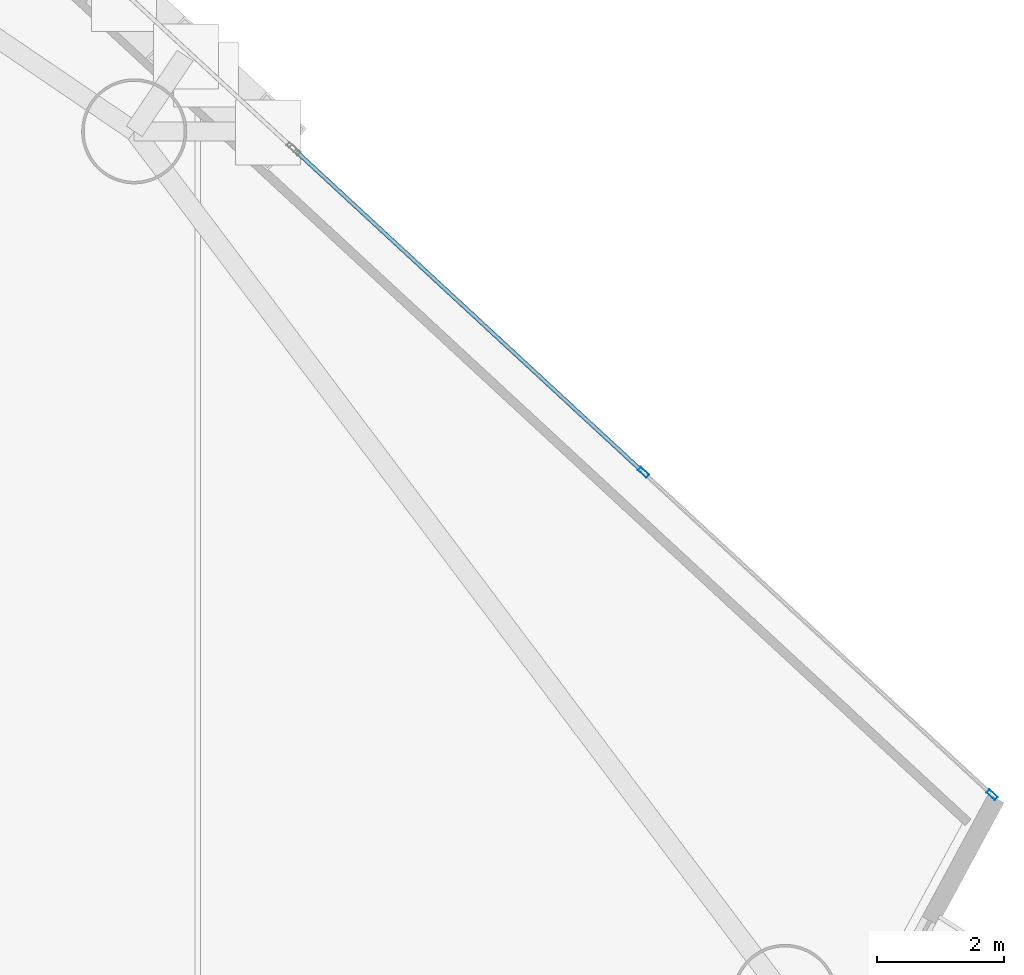
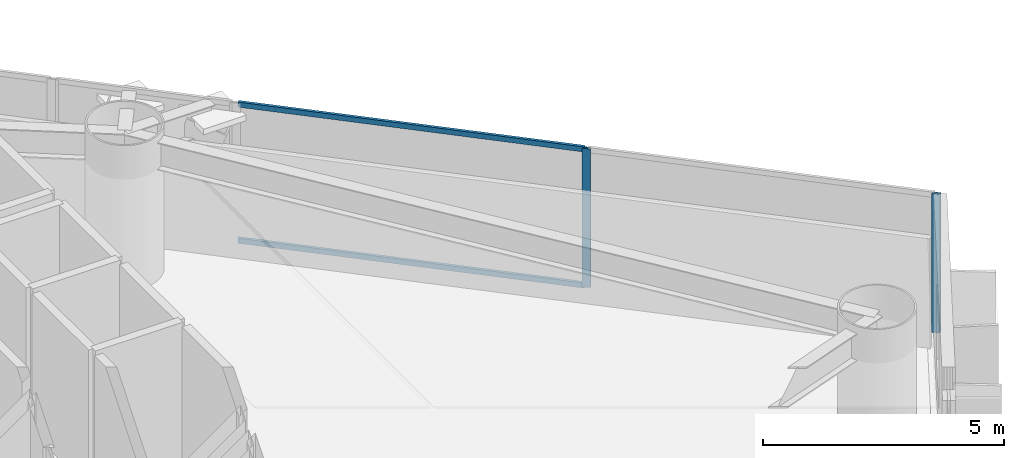
# One storey, part 15 of 23: 4 members, 1 element without a shape of its own.
"""IFC4 building model written with IfcOpenShell, lengths in metres."""

from ifc_helpers import new_model, si_unit, direction, frame, origin, origin_2d, place, context, subcontext, project, spatial, hollow_rectangle, extrude, material, layer, layer_set, material_profile, profile_set, type_object, element, aggregate, save


model = new_model("IFC4")

# Units and contexts
model_context = context("Model", 3, precision=1e-05, world=origin(), true_north=direction((0.0, 1.0)))
body_context = subcontext(model_context, "Body", "Model", "MODEL_VIEW")
ifc_project = project(units=[si_unit("LENGTHUNIT", "METRE"), si_unit("AREAUNIT", "SQUARE_METRE"), si_unit("VOLUMEUNIT", "CUBIC_METRE"), si_unit("PLANEANGLEUNIT", "RADIAN"), si_unit("MASSUNIT", "GRAM", prefix="KILO")], contexts=[model_context])

# Site, building, storey
site_placement = place(None, origin())
site = spatial("IfcSite", under=ifc_project, at=site_placement, CompositionType="ELEMENT")
building_placement = place(site_placement, origin())
building = spatial("IfcBuilding", under=site, at=building_placement, Name="Qianvela Tower", CompositionType="ELEMENT")
storey_placement = place(building_placement, frame((0.0, 0.0, 67.300048828125)))
storey = spatial("IfcBuildingStorey", under=building, at=storey_placement, Name="L16", CompositionType="ELEMENT", Elevation=67.300048828125)

# Curtain wall, members
ifc_material_1 = material(Name="Anodised Architectural Aluminium and Low-E Glass", Category="aluminium")
ifc_layer = layer(ifc_material_1, 0.179931640625)
ifc_layer_set = layer_set([ifc_layer], Name="Anodised Architectural Aluminium and Low-E Glass")
curtain_wall_type = type_object("IfcCurtainWallType", Name="CW-COLIV-Z12", PredefinedType="USERDEFINED", material=ifc_layer_set)
curtain_wall_placement = place(storey_placement, origin())
curtain_wall = element("IfcCurtainWall", 1, at=curtain_wall_placement, inside=storey, type_object=curtain_wall_type, Name="L16 CW-COLIV-Z12 Curtain Wall 02A", ObjectType="CURTAIN_WALL_SYSTEM", PredefinedType="USERDEFINED")
ifc_material_2 = material(Name="Anodised Architectural Aluminium 6063-T6", Category="aluminium")
ifc_material_profile_1 = material_profile(ifc_material_2, hollow_rectangle(XDim=0.070068359375, YDim=0.179931640625, WallThickness=0.0048828125, at=origin_2d()), Name="ALU-MULL-70x180")
ifc_profile_set_1 = profile_set([ifc_material_profile_1], Name="Anodised Architectural Aluminium 6063-T6")
member_type_1 = type_object("IfcMemberType", Name="CW-COLIV-Z12-MULL", PredefinedType="MULLION", material=ifc_profile_set_1)
member_1_placement = place(storey_placement, frame((59.453125, 23.641357421875, 0.0), z_axis=(0.0, 0.0, 1.0), x_axis=(-0.678843016843, -0.734283431982, 0.0)))
member_1 = element("IfcMember", 2, at=member_1_placement, type_object=member_type_1, Name="CW-3 mullion 1", PredefinedType="MULLION", context=body_context, shape_type="SweptSolid", body=[
    extrude(hollow_rectangle(XDim=0.070068359375, YDim=0.179931640625, WallThickness=0.0048828125, at=origin_2d()), origin(), (0.0, 0.0, 1.0), 3.52001953125),
])
member_2_placement = place(storey_placement, frame((53.97900390625, 28.7021484375, 0.0), z_axis=(0.0, 0.0, 1.0), x_axis=(-0.678843016843, -0.734283431982, 0.0)))
member_2 = element("IfcMember", 3, at=member_2_placement, type_object=member_type_1, Name="CW-3 mullion 2", PredefinedType="MULLION", context=body_context, shape_type="SweptSolid", body=[
    extrude(hollow_rectangle(XDim=0.070068359375, YDim=0.179931640625, WallThickness=0.0048828125, at=origin_2d()), origin(), (0.0, 0.0, 1.0), 3.52001953125),
])
ifc_material_3 = material(Name="Anodised Architectural Aluminium 6063-T6", Category="aluminium")
ifc_material_profile_2 = material_profile(ifc_material_3, hollow_rectangle(XDim=0.06494140625, YDim=0.1298828125, WallThickness=0.00439453125, at=origin_2d()), Name="ALU-TRAN-65x130")
ifc_profile_set_2 = profile_set([ifc_material_profile_2], Name="Anodised Architectural Aluminium 6063-T6")
member_type_2 = type_object("IfcMemberType", Name="CW-COLIV-Z12-TRAN", PredefinedType="USERDEFINED", material=ifc_profile_set_2)
member_3_placement = place(storey_placement, frame((53.953369140625, 28.725830078125, 0.032470703125), z_axis=(-0.734267093586, 0.678860689153, 0.0), x_axis=(-0.678860689153, -0.734267093586, 0.0)))
member_3 = element("IfcMember", 4, at=member_3_placement, type_object=member_type_2, Name="CW-3 transom 2.1", ObjectType="TRANSOM", PredefinedType="USERDEFINED", context=body_context, shape_type="SweptSolid", body=[
    extrude(hollow_rectangle(XDim=0.06494140625, YDim=0.1298828125, WallThickness=0.00439453125, at=origin_2d()), origin(), (0.0, 0.0, 1.0), 7.385009765625),
])
member_4_placement = place(storey_placement, frame((53.953369140625, 28.725830078125, 3.487548828125), z_axis=(-0.734267093586, 0.678860689153, 0.0), x_axis=(-0.678860689153, -0.734267093586, 0.0)))
member_4 = element("IfcMember", 5, at=member_4_placement, type_object=member_type_2, Name="CW-3 transom 2.2", ObjectType="TRANSOM", PredefinedType="USERDEFINED", context=body_context, shape_type="SweptSolid", body=[
    extrude(hollow_rectangle(XDim=0.06494140625, YDim=0.1298828125, WallThickness=0.00439453125, at=origin_2d()), origin(), (0.0, 0.0, 1.0), 7.385009765625),
])
aggregate(curtain_wall, [member_1, member_2, member_3, member_4])

save(model, "model.ifc")
